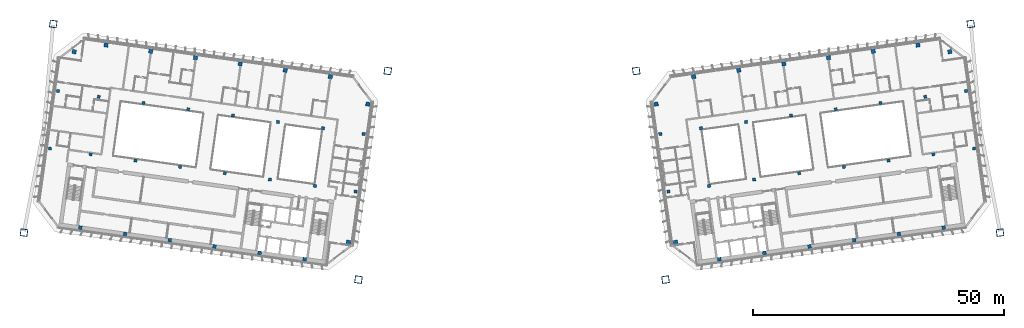
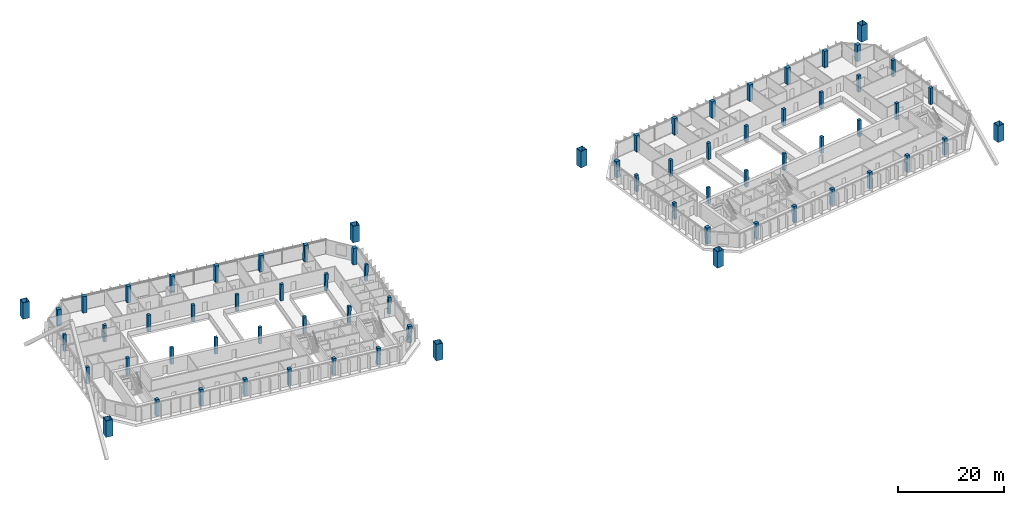
# One storey, part 1 of 28: 70 columns.
"""IFC4 building model written with IfcOpenShell, lengths in metres."""

from ifc_helpers import new_model, si_unit, direction, frame, origin, origin_2d, place, context, subcontext, project, spatial, rectangle, hollow_rectangle, extrude, material, material_profile, profile_set, type_object, element, save


model = new_model("IFC4")

# Units and contexts
model_context = context("Model", 3, precision=1e-05, world=origin(), true_north=direction((0.0, 1.0)))
body_context = subcontext(model_context, "Body", "Model", "MODEL_VIEW")
ifc_project = project(units=[si_unit("LENGTHUNIT", "METRE"), si_unit("AREAUNIT", "SQUARE_METRE"), si_unit("VOLUMEUNIT", "CUBIC_METRE"), si_unit("PLANEANGLEUNIT", "RADIAN"), si_unit("MASSUNIT", "GRAM", prefix="KILO")], contexts=[model_context])

# Site, building, storey
site_placement = place(None, origin())
site = spatial("IfcSite", under=ifc_project, at=site_placement, CompositionType="ELEMENT")
building_placement = place(site_placement, origin())
building = spatial("IfcBuilding", under=site, at=building_placement, Name="Mirante Cascada Hotel Towers", CompositionType="ELEMENT")
storey_placement = place(building_placement, frame((0.0, 0.0, 165.0)))
storey = spatial("IfcBuildingStorey", under=building, at=storey_placement, Name="L38", CompositionType="ELEMENT", Elevation=165.0)

# Columns
ifc_material_1 = material(Name="Steel ASTM A572 Gr 50", Category="steel")
ifc_material_profile_1 = material_profile(ifc_material_1, hollow_rectangle(XDim=1.4, YDim=1.4, WallThickness=0.06, at=origin_2d()), Name="Box column 1400x1400x60 ASTM A572 Gr 50")
ifc_profile_set_1 = profile_set([ifc_material_profile_1], Name="Steel ASTM A572 Gr 50")
column_type_1 = type_object("IfcColumnType", Name="Box column 1400x1400x60 ASTM A572 Gr 50", PredefinedType="COLUMN", material=ifc_profile_set_1)
for number, where, z_axis, x_axis, name in (
    (1, (-24.7624, 18.4703, 0.0), (0.0, 0.0, 1.0), (-0.9902681, 0.1391731, 0.0), "Mega column MC1 T1 L38"),
    (2, (-30.6077, -23.121, 0.0), (0.0, 0.0, 1.0), (-0.9902681, 0.1391731, 0.0), "Mega column MC2 T1 L38"),
    (3, (-91.4448, 27.8419, 0.0), (0.0, 0.0, 1.0), (-0.9902681, 0.1391731, 0.0), "Mega column MC3 T1 L38"),
    (4, (-97.2901, -13.7494, 0.0), (0.0, 0.0, 1.0), (-0.9902681, 0.1391731, 0.0), "Mega column MC4 T1 L38"),
    (5, (24.7624, 18.4703, 0.0), (0.0, 0.0, 1.0), (0.9902681, 0.1391731, 0.0), "Mega column MC1 T2 L38"),
    (6, (30.6077, -23.121, 0.0), (0.0, 0.0, 1.0), (0.9902681, 0.1391731, 0.0), "Mega column MC2 T2 L38"),
    (7, (91.4448, 27.8419, 0.0), (0.0, 0.0, 1.0), (0.9902681, 0.1391731, 0.0), "Mega column MC3 T2 L38"),
    (8, (97.2901, -13.7494, 0.0), (0.0, 0.0, 1.0), (0.9902681, 0.1391731, 0.0), "Mega column MC4 T2 L38"),
):
    element("IfcColumn", number, at=place(storey_placement, frame(where, z_axis=z_axis, x_axis=x_axis)), inside=storey, type_object=column_type_1, Name=name, PredefinedType="COLUMN", context=body_context, shape_type="SweptSolid", body=[
        extrude(hollow_rectangle(XDim=1.4, YDim=1.4, WallThickness=0.06, at=origin_2d()), origin(), (0.0, 0.0, 1.0), 3.8),
    ])
ifc_material_2 = material(Name="Concrete C50/60", Category="concrete")
ifc_material_profile_2 = material_profile(ifc_material_2, rectangle(XDim=0.6, YDim=0.6, at=origin_2d()), Name="RC column 600x600 C50/60")
ifc_profile_set_2 = profile_set([ifc_material_profile_2], Name="Concrete C50/60")
column_type_2 = type_object("IfcColumnType", Name="RC column 600x600 C50/60", PredefinedType="COLUMN", material=ifc_profile_set_2)
for number, where, z_axis, x_axis, name in (
    (9, (-29.5914, 5.9202, 0.004), (0.0262039, -0.0036907, 0.9996498), (0.1394685, 0.9902265, 0.0), "Column T1 L38 2"),
    (10, (-31.2058, -5.5669, 0.004), (0.0262039, -0.0036907, 0.9996498), (0.1394685, 0.9902265, 0.0), "Column T1 L38 3"),
):
    element("IfcColumn", number, at=place(storey_placement, frame(where, z_axis=z_axis, x_axis=x_axis)), inside=storey, type_object=column_type_2, Name=name, PredefinedType="COLUMN", context=body_context, shape_type="SweptSolid", body=[
        extrude(rectangle(XDim=0.6, YDim=0.6, at=origin_2d()), origin(), (0.0, 0.0, 1.0), 3.7933),
    ])
for number, where, z_axis, x_axis, name in (
    (11, (-37.6789, 7.0568, 0.004), (0.0234112, -0.0032691, 0.9997206), (0.1382978, 0.9903907, 0.0), "Column T1 L38 6"),
    (12, (-39.2934, -4.4303, 0.004), (0.0234375, -0.0032955, 0.9997199), (0.1392378, 0.990259, 0.0), "Column T1 L38 7"),
):
    element("IfcColumn", number, at=place(storey_placement, frame(where, z_axis=z_axis, x_axis=x_axis)), inside=storey, type_object=column_type_2, Name=name, PredefinedType="COLUMN", context=body_context, shape_type="SweptSolid", body=[
        extrude(rectangle(XDim=0.6, YDim=0.6, at=origin_2d()), origin(), (0.0, 0.0, 1.0), 3.7931),
    ])
for number, where, z_axis, x_axis, name in (
    (13, (-46.6584, 8.3188, 0.004), (0.0117344, -0.0016349, 0.9999298), (0.1379929, 0.9904332, 0.0), "Column T1 L38 10"),
    (14, (-48.2728, -3.1683, 0.004), (0.011708, -0.0016349, 0.9999301), (0.1382978, 0.9903907, 0.0), "Column T1 L38 11"),
):
    element("IfcColumn", number, at=place(storey_placement, frame(where, z_axis=z_axis, x_axis=x_axis)), inside=storey, type_object=column_type_2, Name=name, PredefinedType="COLUMN", context=body_context, shape_type="SweptSolid", body=[
        extrude(rectangle(XDim=0.6, YDim=0.6, at=origin_2d()), origin(), (0.0, 0.0, 1.0), 3.7923),
    ])
for number, where, z_axis, x_axis, name in (
    (15, (-55.6378, 9.5808, 0.0), (0.0, 0.0, 1.0), (-0.9902681, 0.1391731, 0.0), "Column T1 L38 14"),
    (16, (-57.2522, -1.9063, 0.0), (0.0, 0.0, 1.0), (-0.9902681, 0.1391731, 0.0), "Column T1 L38 15"),
    (17, (-64.5502, 10.8333, 0.0), (0.0, 0.0, 1.0), (-0.9902681, 0.1391731, 0.0), "Column T1 L38 18"),
    (18, (-66.1646, -0.6538, 0.0), (0.0, 0.0, 1.0), (-0.9902681, 0.1391731, 0.0), "Column T1 L38 19"),
    (19, (-73.4626, 12.0859, 0.0), (0.0, 0.0, 1.0), (-0.9902681, 0.1391731, 0.0), "Column T1 L38 22"),
    (20, (-75.077, 0.5988, 0.0), (0.0, 0.0, 1.0), (-0.9902681, 0.1391731, 0.0), "Column T1 L38 23"),
    (21, (-82.375, 13.3385, 0.0), (0.0, 0.0, 1.0), (-0.9902681, 0.1391731, 0.0), "Column T1 L38 26"),
    (22, (-83.9894, 1.8514, 0.0), (0.0, 0.0, 1.0), (-0.9902681, 0.1391731, 0.0), "Column T1 L38 27"),
    (23, (-90.4952, 14.4797, 0.0), (0.0, 0.0, 1.0), (-0.9902681, 0.1391731, 0.0), "Column T1 L38 30"),
    (24, (-92.1096, 2.9926, 0.0), (0.0, 0.0, 1.0), (-0.9902681, 0.1391731, 0.0), "Column T1 L38 31"),
):
    element("IfcColumn", number, at=place(storey_placement, frame(where, z_axis=z_axis, x_axis=x_axis)), inside=storey, type_object=column_type_2, Name=name, PredefinedType="COLUMN", context=body_context, shape_type="SweptSolid", body=[
        extrude(rectangle(XDim=0.6, YDim=0.6, at=origin_2d()), origin(), (0.0, 0.0, 1.0), 3.8),
    ])
for number, where, z_axis, x_axis, name in (
    (25, (29.5914, 5.9202, 0.004), (-0.0262039, -0.0036907, 0.9996498), (0.1394685, -0.9902265, 0.0), "Column T2 L38 2"),
    (26, (31.2058, -5.5669, 0.004), (-0.0262039, -0.0036907, 0.9996498), (0.1394685, -0.9902265, 0.0), "Column T2 L38 3"),
):
    element("IfcColumn", number, at=place(storey_placement, frame(where, z_axis=z_axis, x_axis=x_axis)), inside=storey, type_object=column_type_2, Name=name, PredefinedType="COLUMN", context=body_context, shape_type="SweptSolid", body=[
        extrude(rectangle(XDim=0.6, YDim=0.6, at=origin_2d()), origin(), (0.0, 0.0, 1.0), 3.7933),
    ])
for number, where, z_axis, x_axis, name in (
    (27, (37.6789, 7.0568, 0.004), (-0.0234112, -0.0032691, 0.9997206), (0.1382978, -0.9903907, 0.0), "Column T2 L38 6"),
    (28, (39.2934, -4.4303, 0.004), (-0.0234375, -0.0032955, 0.9997199), (0.1392378, -0.990259, 0.0), "Column T2 L38 7"),
):
    element("IfcColumn", number, at=place(storey_placement, frame(where, z_axis=z_axis, x_axis=x_axis)), inside=storey, type_object=column_type_2, Name=name, PredefinedType="COLUMN", context=body_context, shape_type="SweptSolid", body=[
        extrude(rectangle(XDim=0.6, YDim=0.6, at=origin_2d()), origin(), (0.0, 0.0, 1.0), 3.7931),
    ])
for number, where, z_axis, x_axis, name in (
    (29, (46.6584, 8.3188, 0.004), (-0.0117344, -0.0016349, 0.9999298), (0.1379929, -0.9904332, 0.0), "Column T2 L38 10"),
    (30, (48.2728, -3.1683, 0.004), (-0.011708, -0.0016349, 0.9999301), (0.1382978, -0.9903907, 0.0), "Column T2 L38 11"),
):
    element("IfcColumn", number, at=place(storey_placement, frame(where, z_axis=z_axis, x_axis=x_axis)), inside=storey, type_object=column_type_2, Name=name, PredefinedType="COLUMN", context=body_context, shape_type="SweptSolid", body=[
        extrude(rectangle(XDim=0.6, YDim=0.6, at=origin_2d()), origin(), (0.0, 0.0, 1.0), 3.7923),
    ])
for number, where, z_axis, x_axis, name in (
    (31, (55.6378, 9.5808, 0.0), (0.0, 0.0, 1.0), (0.9902681, 0.1391731, 0.0), "Column T2 L38 14"),
    (32, (57.2522, -1.9063, 0.0), (0.0, 0.0, 1.0), (0.9902681, 0.1391731, 0.0), "Column T2 L38 15"),
    (33, (64.5502, 10.8333, 0.0), (0.0, 0.0, 1.0), (0.9902681, 0.1391731, 0.0), "Column T2 L38 18"),
    (34, (66.1646, -0.6538, 0.0), (0.0, 0.0, 1.0), (0.9902681, 0.1391731, 0.0), "Column T2 L38 19"),
    (35, (73.4626, 12.0859, 0.0), (0.0, 0.0, 1.0), (0.9902681, 0.1391731, 0.0), "Column T2 L38 22"),
    (36, (75.077, 0.5988, 0.0), (0.0, 0.0, 1.0), (0.9902681, 0.1391731, 0.0), "Column T2 L38 23"),
    (37, (82.375, 13.3385, 0.0), (0.0, 0.0, 1.0), (0.9902681, 0.1391731, 0.0), "Column T2 L38 26"),
    (38, (83.9894, 1.8514, 0.0), (0.0, 0.0, 1.0), (0.9902681, 0.1391731, 0.0), "Column T2 L38 27"),
    (39, (90.4952, 14.4797, 0.0), (0.0, 0.0, 1.0), (0.9902681, 0.1391731, 0.0), "Column T2 L38 30"),
    (40, (92.1096, 2.9926, 0.0), (0.0, 0.0, 1.0), (0.9902681, 0.1391731, 0.0), "Column T2 L38 31"),
):
    element("IfcColumn", number, at=place(storey_placement, frame(where, z_axis=z_axis, x_axis=x_axis)), inside=storey, type_object=column_type_2, Name=name, PredefinedType="COLUMN", context=body_context, shape_type="SweptSolid", body=[
        extrude(rectangle(XDim=0.6, YDim=0.6, at=origin_2d()), origin(), (0.0, 0.0, 1.0), 3.8),
    ])
ifc_material_3 = material(Name="Concrete C50/60", Category="concrete")
ifc_material_profile_3 = material_profile(ifc_material_3, rectangle(XDim=0.7, YDim=0.7, at=origin_2d()), Name="RC column 700x700 C50/60")
ifc_profile_set_3 = profile_set([ifc_material_profile_3], Name="Concrete C50/60")
column_type_3 = type_object("IfcColumnType", Name="RC column 700x700 C50/60", PredefinedType="COLUMN", material=ifc_profile_set_3)
column_1_placement = place(storey_placement, frame((-41.3462, -19.0367, 0.004), z_axis=(0.0234375, -0.0032955, 0.9997199), x_axis=(0.1392378, 0.990259, 0.0)))
element("IfcColumn", 41, at=column_1_placement, inside=storey, type_object=column_type_3, Name="Column T1 L38 8", PredefinedType="COLUMN", context=body_context, shape_type="SweptSolid", body=[
    extrude(rectangle(XDim=0.7, YDim=0.7, at=origin_2d()), origin(), (0.0, 0.0, 1.0), 3.7931),
])
column_2_placement = place(storey_placement, frame((-50.3256, -17.7747, 0.004), z_axis=(0.011708, -0.0016613, 0.9999301), x_axis=(0.1404847, 0.9900828, 0.0)))
element("IfcColumn", 42, at=column_2_placement, inside=storey, type_object=column_type_3, Name="Column T1 L38 12", PredefinedType="COLUMN", context=body_context, shape_type="SweptSolid", body=[
    extrude(rectangle(XDim=0.7, YDim=0.7, at=origin_2d()), origin(), (0.0, 0.0, 1.0), 3.7923),
])
for number, where, z_axis, x_axis, name in (
    (43, (-59.305, -16.5128, 0.0), (0.0, 0.0, 1.0), (-0.9902681, 0.1391731, 0.0), "Column T1 L38 16"),
    (44, (-68.2174, -15.2602, 0.0), (0.0, 0.0, 1.0), (-0.9902681, 0.1391731, 0.0), "Column T1 L38 20"),
    (45, (-77.1298, -14.0077, 0.0), (0.0, 0.0, 1.0), (-0.9902681, 0.1391731, 0.0), "Column T1 L38 24"),
    (46, (-86.0422, -12.7551, 0.0), (0.0, 0.0, 1.0), (-0.9902681, 0.1391731, 0.0), "Column T1 L38 28"),
):
    element("IfcColumn", number, at=place(storey_placement, frame(where, z_axis=z_axis, x_axis=x_axis)), inside=storey, type_object=column_type_3, Name=name, PredefinedType="COLUMN", context=body_context, shape_type="SweptSolid", body=[
        extrude(rectangle(XDim=0.7, YDim=0.7, at=origin_2d()), origin(), (0.0, 0.0, 1.0), 3.8),
    ])
column_3_placement = place(storey_placement, frame((41.3462, -19.0367, 0.004), z_axis=(-0.0234375, -0.0032955, 0.9997199), x_axis=(0.1392378, -0.990259, 0.0)))
element("IfcColumn", 47, at=column_3_placement, inside=storey, type_object=column_type_3, Name="Column T2 L38 8", PredefinedType="COLUMN", context=body_context, shape_type="SweptSolid", body=[
    extrude(rectangle(XDim=0.7, YDim=0.7, at=origin_2d()), origin(), (0.0, 0.0, 1.0), 3.7931),
])
column_4_placement = place(storey_placement, frame((50.3256, -17.7747, 0.004), z_axis=(-0.011708, -0.0016613, 0.9999301), x_axis=(0.1404847, -0.9900828, 0.0)))
element("IfcColumn", 48, at=column_4_placement, inside=storey, type_object=column_type_3, Name="Column T2 L38 12", PredefinedType="COLUMN", context=body_context, shape_type="SweptSolid", body=[
    extrude(rectangle(XDim=0.7, YDim=0.7, at=origin_2d()), origin(), (0.0, 0.0, 1.0), 3.7923),
])
for number, where, z_axis, x_axis, name in (
    (49, (59.305, -16.5128, 0.0), (0.0, 0.0, 1.0), (0.9902681, 0.1391731, 0.0), "Column T2 L38 16"),
    (50, (68.2174, -15.2602, 0.0), (0.0, 0.0, 1.0), (0.9902681, 0.1391731, 0.0), "Column T2 L38 20"),
    (51, (77.1298, -14.0077, 0.0), (0.0, 0.0, 1.0), (0.9902681, 0.1391731, 0.0), "Column T2 L38 24"),
    (52, (86.0422, -12.7551, 0.0), (0.0, 0.0, 1.0), (0.9902681, 0.1391731, 0.0), "Column T2 L38 28"),
):
    element("IfcColumn", number, at=place(storey_placement, frame(where, z_axis=z_axis, x_axis=x_axis)), inside=storey, type_object=column_type_3, Name=name, PredefinedType="COLUMN", context=body_context, shape_type="SweptSolid", body=[
        extrude(rectangle(XDim=0.7, YDim=0.7, at=origin_2d()), origin(), (0.0, 0.0, 1.0), 3.8),
    ])
ifc_material_4 = material(Name="Concrete C50/60", Category="concrete")
ifc_material_profile_4 = material_profile(ifc_material_4, rectangle(XDim=0.8, YDim=0.8, at=origin_2d()), Name="RC column 800x800 C50/60")
ifc_profile_set_4 = profile_set([ifc_material_profile_4], Name="Concrete C50/60")
column_type_4 = type_object("IfcColumnType", Name="RC column 800x800 C50/60", PredefinedType="COLUMN", material=ifc_profile_set_4)
for number, where, z_axis, x_axis, name in (
    (53, (-28.7564, 11.8618, 0.004), (0.0262039, -0.0036643, 0.9996499), (0.1384915, 0.9903636, 0.0), "Column T1 L38 1"),
    (54, (-32.6254, -15.6676, 0.004), (0.0262039, -0.0036907, 0.9996498), (0.1394685, 0.9902265, 0.0), "Column T1 L38 4"),
):
    element("IfcColumn", number, at=place(storey_placement, frame(where, z_axis=z_axis, x_axis=x_axis)), inside=storey, type_object=column_type_4, Name=name, PredefinedType="COLUMN", context=body_context, shape_type="SweptSolid", body=[
        extrude(rectangle(XDim=0.8, YDim=0.8, at=origin_2d()), origin(), (0.0, 0.0, 1.0), 3.7933),
    ])
column_5_placement = place(storey_placement, frame((-36.2315, 17.3556, 0.004), z_axis=(0.0234112, -0.0032955, 0.9997205), x_axis=(0.1393915, 0.9902373, 0.0)))
element("IfcColumn", 55, at=column_5_placement, inside=storey, type_object=column_type_4, Name="Column T1 L38 5", PredefinedType="COLUMN", context=body_context, shape_type="SweptSolid", body=[
    extrude(rectangle(XDim=0.8, YDim=0.8, at=origin_2d()), origin(), (0.0, 0.0, 1.0), 3.7931),
])
column_6_placement = place(storey_placement, frame((-45.211, 18.6176, 0.004), z_axis=(0.0117344, -0.0016349, 0.9999298), x_axis=(0.1379929, 0.9904332, 0.0)))
element("IfcColumn", 56, at=column_6_placement, inside=storey, type_object=column_type_4, Name="Column T1 L38 9", PredefinedType="COLUMN", context=body_context, shape_type="SweptSolid", body=[
    extrude(rectangle(XDim=0.8, YDim=0.8, at=origin_2d()), origin(), (0.0, 0.0, 1.0), 3.7923),
])
for number, where, z_axis, x_axis, name in (
    (57, (-54.1904, 19.8796, 0.0), (0.0, 0.0, 1.0), (-0.9902681, 0.1391731, 0.0), "Column T1 L38 13"),
    (58, (-63.1028, 21.1321, 0.0), (0.0, 0.0, 1.0), (-0.9902681, 0.1391731, 0.0), "Column T1 L38 17"),
    (59, (-72.0152, 22.3847, 0.0), (0.0, 0.0, 1.0), (-0.9902681, 0.1391731, 0.0), "Column T1 L38 21"),
    (60, (-80.9276, 23.6373, 0.0), (0.0, 0.0, 1.0), (-0.9902681, 0.1391731, 0.0), "Column T1 L38 25"),
    (61, (-87.2744, 22.3076, 0.0), (0.0, 0.0, 1.0), (-0.9902681, 0.1391731, 0.0), "Column T1 L38 29"),
):
    element("IfcColumn", number, at=place(storey_placement, frame(where, z_axis=z_axis, x_axis=x_axis)), inside=storey, type_object=column_type_4, Name=name, PredefinedType="COLUMN", context=body_context, shape_type="SweptSolid", body=[
        extrude(rectangle(XDim=0.8, YDim=0.8, at=origin_2d()), origin(), (0.0, 0.0, 1.0), 3.8),
    ])
for number, where, z_axis, x_axis, name in (
    (62, (28.7564, 11.8618, 0.004), (-0.0262039, -0.0036643, 0.9996499), (0.1384915, -0.9903636, 0.0), "Column T2 L38 1"),
    (63, (32.6254, -15.6676, 0.004), (-0.0262039, -0.0036907, 0.9996498), (0.1394685, -0.9902265, 0.0), "Column T2 L38 4"),
):
    element("IfcColumn", number, at=place(storey_placement, frame(where, z_axis=z_axis, x_axis=x_axis)), inside=storey, type_object=column_type_4, Name=name, PredefinedType="COLUMN", context=body_context, shape_type="SweptSolid", body=[
        extrude(rectangle(XDim=0.8, YDim=0.8, at=origin_2d()), origin(), (0.0, 0.0, 1.0), 3.7933),
    ])
column_7_placement = place(storey_placement, frame((36.2315, 17.3556, 0.004), z_axis=(-0.0234112, -0.0032955, 0.9997205), x_axis=(0.1393915, -0.9902373, 0.0)))
element("IfcColumn", 64, at=column_7_placement, inside=storey, type_object=column_type_4, Name="Column T2 L38 5", PredefinedType="COLUMN", context=body_context, shape_type="SweptSolid", body=[
    extrude(rectangle(XDim=0.8, YDim=0.8, at=origin_2d()), origin(), (0.0, 0.0, 1.0), 3.7931),
])
column_8_placement = place(storey_placement, frame((45.211, 18.6176, 0.004), z_axis=(-0.0117344, -0.0016349, 0.9999298), x_axis=(0.1379929, -0.9904332, 0.0)))
element("IfcColumn", 65, at=column_8_placement, inside=storey, type_object=column_type_4, Name="Column T2 L38 9", PredefinedType="COLUMN", context=body_context, shape_type="SweptSolid", body=[
    extrude(rectangle(XDim=0.8, YDim=0.8, at=origin_2d()), origin(), (0.0, 0.0, 1.0), 3.7923),
])
for number, where, z_axis, x_axis, name in (
    (66, (54.1904, 19.8796, 0.0), (0.0, 0.0, 1.0), (0.9902681, 0.1391731, 0.0), "Column T2 L38 13"),
    (67, (63.1028, 21.1321, 0.0), (0.0, 0.0, 1.0), (0.9902681, 0.1391731, 0.0), "Column T2 L38 17"),
    (68, (72.0152, 22.3847, 0.0), (0.0, 0.0, 1.0), (0.9902681, 0.1391731, 0.0), "Column T2 L38 21"),
    (69, (80.9276, 23.6373, 0.0), (0.0, 0.0, 1.0), (0.9902681, 0.1391731, 0.0), "Column T2 L38 25"),
    (70, (87.2744, 22.3076, 0.0), (0.0, 0.0, 1.0), (0.9902681, 0.1391731, 0.0), "Column T2 L38 29"),
):
    element("IfcColumn", number, at=place(storey_placement, frame(where, z_axis=z_axis, x_axis=x_axis)), inside=storey, type_object=column_type_4, Name=name, PredefinedType="COLUMN", context=body_context, shape_type="SweptSolid", body=[
        extrude(rectangle(XDim=0.8, YDim=0.8, at=origin_2d()), origin(), (0.0, 0.0, 1.0), 3.8),
    ])

save(model, "model.ifc")
